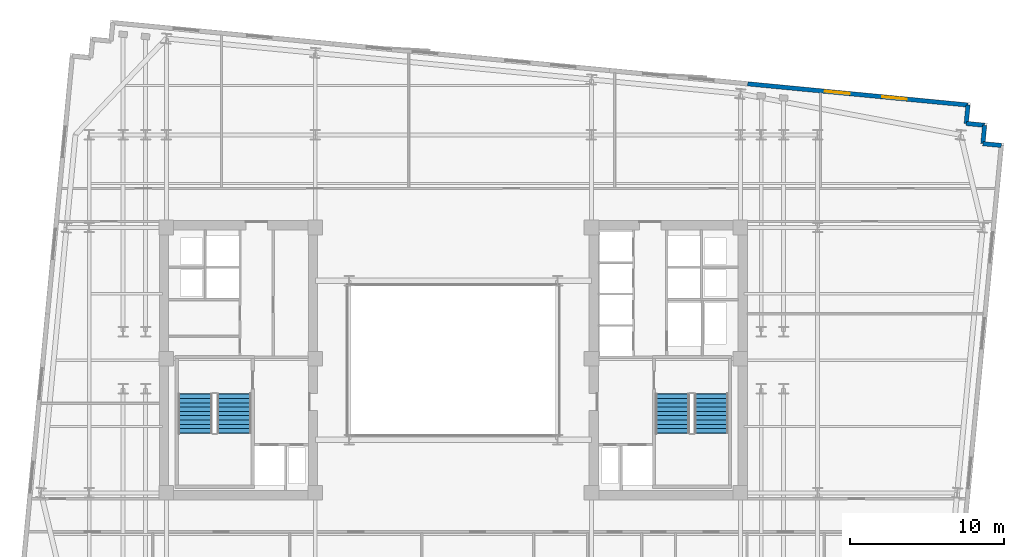
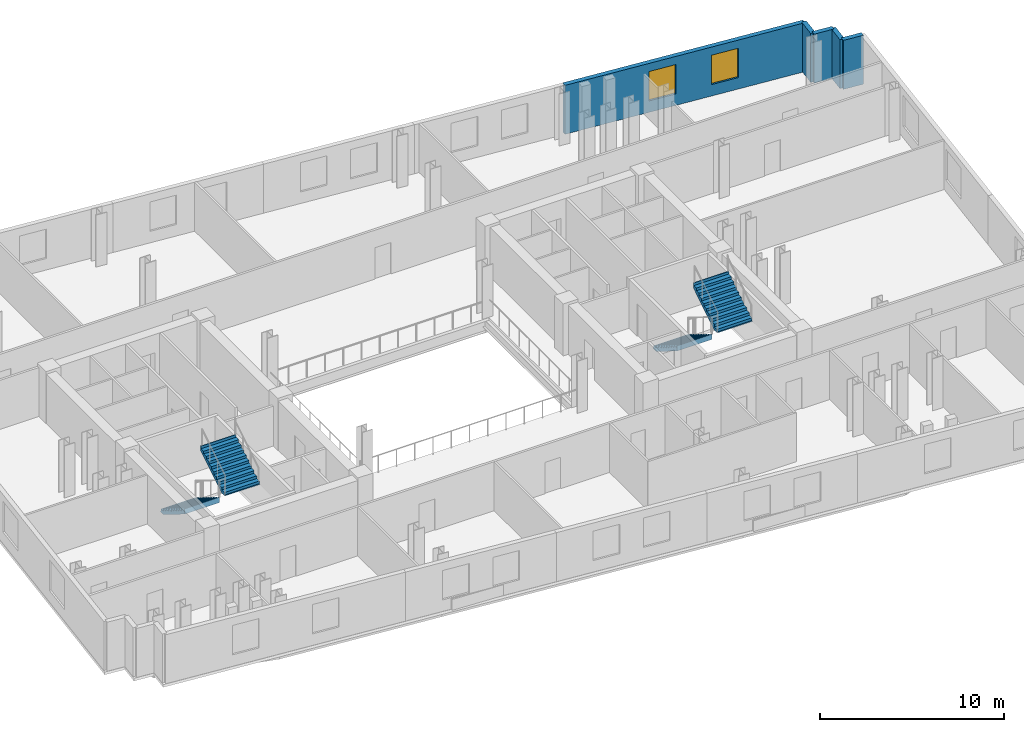
# One storey, part 7 of 9: 5 walls, 4 stair flights, 2 windows, 2 openings, 2 elements without a shape of their own.
"""IFC4 building model written with IfcOpenShell, lengths in metres."""

import ifcopenshell
import ifcopenshell.guid

model = None  # the IFC model being written
_history = None  # IfcOwnerHistory: only IFC2X3 demands one
_inside = {}  # id of a spatial element -> (the spatial element, [elements in it])
_under = {}  # id of a project, library or spatial element -> (it, [spatial elements below it])
_declared = {}  # id of a project -> (the project, [libraries it declares])
_typed = {}  # id of a type object -> (the type object, [elements of that type])
_made_of = {}  # id of a material, layer set ... -> (it, [elements and type objects made of it])


def new_model(schema):
    """Start an empty IFC model of exactly this schema.

    Asked for "IFC4X3", IfcOpenShell would pick the latest addendum, in which some entities
    have other attributes; the version numbers below select the first issue.
    IFC2X3 requires an IfcOwnerHistory on every rooted entity: one is made here for all.
    """
    global model, _history
    if schema == "IFC4X3":
        model = ifcopenshell.file(schema_version=(4, 3, 0, 0))
    else:
        model = ifcopenshell.file(schema=schema)
    _inside.clear()
    _under.clear()
    _declared.clear()
    _typed.clear()
    _made_of.clear()
    _history = None
    if model.schema == "IFC2X3":
        org = make("IfcOrganization", Name="unknown")
        user = make(
            "IfcPersonAndOrganization",
            ThePerson=make("IfcPerson", FamilyName="unknown"),
            TheOrganization=org,
        )
        app = make(
            "IfcApplication",
            ApplicationDeveloper=org,
            Version="unknown",
            ApplicationFullName="unknown",
            ApplicationIdentifier="unknown",
        )
        _history = make(
            "IfcOwnerHistory",
            OwningUser=user,
            OwningApplication=app,
            ChangeAction="ADDED",
            CreationDate=0,
        )
    return model


def make(cls, **values):
    """One entity of the class cls with the attributes given. An attribute that is None is left unset."""
    return model.create_entity(
        cls, **{name: value for name, value in values.items() if value is not None}
    )


def rooted(cls, **values):
    """An entity with a GlobalId (a new one), such as an element, a storey or a relation."""
    return make(cls, GlobalId=ifcopenshell.guid.new(), OwnerHistory=_history, **values)


def si_unit(unit_type, name, prefix=None):
    """IfcSIUnit, for example si_unit("LENGTHUNIT", "METRE", prefix="MILLI")."""
    return make("IfcSIUnit", UnitType=unit_type, Prefix=prefix, Name=name)


def assignment(units):
    """IfcUnitAssignment: the units of a project."""
    return None if units is None else make("IfcUnitAssignment", Units=units)


def point(xyz):
    """IfcCartesianPoint."""
    return None if xyz is None else make("IfcCartesianPoint", Coordinates=xyz)


def direction(xyz):
    """IfcDirection."""
    return None if xyz is None else make("IfcDirection", DirectionRatios=xyz)


def frame(location, z_axis=None, x_axis=None):
    """IfcAxis2Placement3D, a coordinate frame: its origin and axes. An axis left out is left unset."""
    return make(
        "IfcAxis2Placement3D",
        Location=point(location),
        Axis=direction(z_axis),
        RefDirection=direction(x_axis),
    )


def frame_2d(location, x_axis=None):
    """IfcAxis2Placement2D, a coordinate frame in the plane: its origin and x axis."""
    return make(
        "IfcAxis2Placement2D", Location=point(location), RefDirection=direction(x_axis)
    )


def origin():
    """The frame at (0, 0, 0) with its axes left unset."""
    return frame((0.0, 0.0, 0.0))


def place(relative_to, where):
    """IfcLocalPlacement: puts the frame where relative to a parent placement (None: the world)."""
    return make(
        "IfcLocalPlacement", PlacementRelTo=relative_to, RelativePlacement=where
    )


def context(
    kind, dimensions, precision=None, world=None, true_north=None, identifier=None
):
    """IfcGeometricRepresentationContext, for example the 3D "Model" context."""
    return make(
        "IfcGeometricRepresentationContext",
        ContextIdentifier=identifier,
        ContextType=kind,
        CoordinateSpaceDimension=dimensions,
        Precision=precision,
        WorldCoordinateSystem=world,
        TrueNorth=true_north,
    )


def subcontext(parent, identifier, kind, view, scale=None):
    """IfcGeometricRepresentationSubContext, for example "Body" below "Model"."""
    return make(
        "IfcGeometricRepresentationSubContext",
        ContextIdentifier=identifier,
        ContextType=kind,
        ParentContext=parent,
        TargetScale=scale,
        TargetView=view,
    )


def project(units=None, contexts=None):
    """IfcProject with its units and contexts."""
    return rooted(
        "IfcProject",
        Name="project",
        RepresentationContexts=contexts,
        UnitsInContext=assignment(units),
    )


def spatial(cls, under=None, at=None, **own):
    """A site, building, storey or space (cls), placed at a placement, below another one or the project."""
    s = rooted(cls, ObjectPlacement=at, **own)
    if under is not None:
        _under.setdefault(under.id(), (under, []))[1].append(s)
    return s


def polyline(points):
    """IfcPolyline through the points."""
    return make("IfcPolyline", Points=[point(p) for p in points])


def profile(cls, at=None, kind="AREA", **sizes):
    """A parametric profile (cls). Its sizes go by their IFC names, for example OverallWidth=200.0."""
    return make(cls, ProfileType=kind, Position=at, **sizes)


def rectangle(**sizes):
    """IfcRectangleProfileDef."""
    return profile("IfcRectangleProfileDef", **sizes)


def outline(outer, holes=None, kind="AREA"):
    """IfcArbitraryClosedProfileDef: a profile drawn as a closed curve; with holes, ...WithVoids."""
    if holes is None:
        return make("IfcArbitraryClosedProfileDef", ProfileType=kind, OuterCurve=outer)
    return make(
        "IfcArbitraryProfileDefWithVoids",
        ProfileType=kind,
        OuterCurve=outer,
        InnerCurves=holes,
    )


def extrude(swept, where, along, depth):
    """IfcExtrudedAreaSolid: the profile swept, set in the frame where, extruded along a direction by depth."""
    return make(
        "IfcExtrudedAreaSolid",
        SweptArea=swept,
        Position=where,
        ExtrudedDirection=direction(along),
        Depth=depth,
    )


def shape(context_of_items, identifier, shape_type, items):
    """IfcShapeRepresentation: the items that make up one representation, for example the "Body"."""
    return make(
        "IfcShapeRepresentation",
        ContextOfItems=context_of_items,
        RepresentationIdentifier=identifier,
        RepresentationType=shape_type,
        Items=items,
    )


def material(Name=None, Category=None):
    """IfcMaterial."""
    return make("IfcMaterial", Name=Name, Category=Category)


def layer(
    of_material, thickness, ventilated=None, Name=None, Category=None, Priority=None
):
    """IfcMaterialLayer: one layer of a wall or slab, of a material (None: an air gap)."""
    return make(
        "IfcMaterialLayer",
        Material=of_material,
        LayerThickness=thickness,
        IsVentilated=ventilated,
        Name=Name,
        Category=Category,
        Priority=Priority,
    )


def layer_set(layers, Name=None):
    """IfcMaterialLayerSet."""
    return make("IfcMaterialLayerSet", MaterialLayers=layers, LayerSetName=Name)


def made_of(thing, what):
    """Note that an element or type object is made of a material, layer set ...; save() writes the relation."""
    if what is not None:
        _made_of.setdefault(what.id(), (what, []))[1].append(thing)
    return thing


def type_object(cls, material=None, **own):
    """A type object (cls), such as IfcWallType, which elements share."""
    return made_of(rooted(cls, **own), material)


def element(
    cls,
    number,
    at=None,
    inside=None,
    cuts=None,
    type_object=None,
    material=None,
    context=None,
    identifier="Body",
    shape_type=None,
    held_by="IfcProductDefinitionShape",
    body=None,
    shapes=None,
    **own,
):
    """One element of the class cls, such as IfcWall. Its Tag is "e" and its number.

    at: its placement. inside: the storey or other place that contains it. cuts: it is an
    opening in that element (IfcRelVoidsElement). A single representation is given by context,
    identifier, shape_type and body (its items); several are given by shapes. held_by: the class
    of the entity that holds the representations. save() writes the other relations.
    """
    e = rooted(cls, Tag="e%d" % number, ObjectPlacement=at, **own)
    if body is not None:
        shapes = [shape(context, identifier, shape_type, body)]
    if shapes is not None:
        e.Representation = make(held_by, Representations=shapes)
    if inside is not None:
        _inside.setdefault(inside.id(), (inside, []))[1].append(e)
    if cuts is not None:
        rooted(
            "IfcRelVoidsElement", RelatingBuildingElement=cuts, RelatedOpeningElement=e
        )
    if type_object is not None:
        _typed.setdefault(type_object.id(), (type_object, []))[1].append(e)
    return made_of(e, material)


def fill(opening, filler):
    """IfcRelFillsElement: the door or window that sits in an opening."""
    return rooted(
        "IfcRelFillsElement",
        RelatingOpeningElement=opening,
        RelatedBuildingElement=filler,
    )


def aggregate(whole, parts):
    """IfcRelAggregates: a whole, such as a stair, and the parts it consists of."""
    return rooted("IfcRelAggregates", RelatingObject=whole, RelatedObjects=parts)


def save(model, path):
    """Write the relations noted so far, then the file.

    IfcRelAggregates (storeys below a building ...), IfcRelContainedInSpatialStructure (elements
    in a storey), IfcRelDefinesByType, IfcRelAssociatesMaterial and IfcRelDeclares: one each for
    every whole, place, type object, material and project.
    """
    for whole, parts in _under.values():
        aggregate(whole, parts)
    for where, things in _inside.values():
        rooted(
            "IfcRelContainedInSpatialStructure",
            RelatedElements=things,
            RelatingStructure=where,
        )
    for kind, things in _typed.values():
        rooted("IfcRelDefinesByType", RelatedObjects=things, RelatingType=kind)
    for what, things in _made_of.values():
        rooted("IfcRelAssociatesMaterial", RelatedObjects=things, RelatingMaterial=what)
    for by, libraries in _declared.values():
        rooted("IfcRelDeclares", RelatingContext=by, RelatedDefinitions=libraries)
    model.write(path)


model = new_model("IFC4")

# Units and contexts
model_context = context("Model", 3, precision=1e-05, world=origin(), true_north=direction((0.0, 1.0)))
body_context = subcontext(model_context, "Body", "Model", "MODEL_VIEW")
ifc_project = project(units=[si_unit("LENGTHUNIT", "METRE"), si_unit("AREAUNIT", "SQUARE_METRE"), si_unit("VOLUMEUNIT", "CUBIC_METRE"), si_unit("PLANEANGLEUNIT", "RADIAN"), si_unit("MASSUNIT", "GRAM", prefix="KILO")], contexts=[model_context])

# Site, building, storey
site_placement = place(None, origin())
site = spatial("IfcSite", under=ifc_project, at=site_placement, CompositionType="ELEMENT")
building_placement = place(site_placement, origin())
building = spatial("IfcBuilding", under=site, at=building_placement, Name="Velakula Bourse", CompositionType="ELEMENT")
storey_placement = place(building_placement, frame((0.0, 0.0, 170.75)))
storey = spatial("IfcBuildingStorey", under=building, at=storey_placement, Name="L46", CompositionType="ELEMENT", Elevation=170.75)

# Wall, openings, windows
ifc_material_1 = material(Name="Red kilned clay facing brick masonry", Category="masonry")
ifc_layer_1 = layer(ifc_material_1, 0.280029296875, Name="Red kilned clay facing brick masonry", Category="masonry")
ifc_layer_set_1 = layer_set([ifc_layer_1], Name="Red kilned clay facing brick masonry")
wall_type = type_object("IfcWallType", Name="WL-EXT-BRK-280", PredefinedType="STANDARD", material=ifc_layer_set_1)
wall_1_placement = place(storey_placement, frame((19.0771484375, 17.90771484375, 0.0), z_axis=(0.0, 0.0, 1.0), x_axis=(0.995395606285, -0.095851901334, 0.0)))
wall_1 = element("IfcWall", 1, at=wall_1_placement, inside=storey, type_object=wall_type, Name="L46 N Brick Spandrel Wall B5", PredefinedType="STANDARD", context=body_context, shape_type="SweptSolid", body=[
    extrude(rectangle(XDim=14.33984375, YDim=0.280029296875, at=frame_2d((7.169921875, 0.0))), origin(), (0.0, 0.0, 1.0), 3.25),
])
opening_1_placement = place(wall_1_placement, frame((5.030029296875, 0.0, 0.760009765625)))
opening_1 = element("IfcOpeningElement", 2, at=opening_1_placement, cuts=wall_1, Name="Opening W-02", PredefinedType="OPENING", context=body_context, shape_type="SweptSolid", body=[
    extrude(rectangle(XDim=1.60009765625, YDim=1.949951171875, at=frame_2d((0.800048828125, 0.97509765625))), frame((0.0, 0.14990234375, 0.0), z_axis=(0.0, -1.0, 0.0), x_axis=(1.0, 0.0, 0.0)), (0.0, 0.0, 1.0), 0.300048828125),
])
opening_2_placement = place(wall_1_placement, frame((8.760009765625, 0.0, 0.760009765625)))
opening_2 = element("IfcOpeningElement", 3, at=opening_2_placement, cuts=wall_1, Name="Opening W-02", PredefinedType="OPENING", context=body_context, shape_type="SweptSolid", body=[
    extrude(rectangle(XDim=1.60009765625, YDim=1.949951171875, at=frame_2d((0.800048828125, 0.97509765625))), frame((0.0, 0.14990234375, 0.0), z_axis=(0.0, -1.0, 0.0), x_axis=(1.0, 0.0, 0.0)), (0.0, 0.0, 1.0), 0.300048828125),
])
ifc_material_2 = material(Name="Double-glazed solar-control Low-E glass", Category="glass")
window_type = type_object("IfcWindowType", Name="WIN-TWR-1600x2100", PartitioningType="SINGLE_PANEL", PredefinedType="WINDOW", material=ifc_material_2)
window_1_placement = place(opening_1_placement, origin())
window_1 = element("IfcWindow", 4, at=window_1_placement, inside=storey, type_object=window_type, Name="L46 Deep-Set Recessed Window 1", OverallHeight=1.949951171875, OverallWidth=1.60009765625, PartitioningType="SINGLE_PANEL", PredefinedType="WINDOW", context=body_context, shape_type="SweptSolid", body=[
    extrude(rectangle(XDim=1.60009765625, YDim=1.949951171875, at=frame_2d((0.800048828125, 0.97509765625))), frame((0.0, 0.030029296875, 0.0), z_axis=(0.0, -1.0, 0.0), x_axis=(1.0, 0.0, 0.0)), (0.0, 0.0, 1.0), 0.06005859375),
])
fill(opening_1, window_1)
window_2_placement = place(opening_2_placement, origin())
window_2 = element("IfcWindow", 5, at=window_2_placement, inside=storey, type_object=window_type, Name="L46 Deep-Set Recessed Window 2", OverallHeight=1.949951171875, OverallWidth=1.60009765625, PartitioningType="SINGLE_PANEL", PredefinedType="WINDOW", context=body_context, shape_type="SweptSolid", body=[
    extrude(rectangle(XDim=1.60009765625, YDim=1.949951171875, at=frame_2d((0.800048828125, 0.97509765625))), frame((0.0, 0.030029296875, 0.0), z_axis=(0.0, -1.0, 0.0), x_axis=(1.0, 0.0, 0.0)), (0.0, 0.0, 1.0), 0.06005859375),
])
fill(opening_2, window_2)

# Walls
wall_2_placement = place(storey_placement, frame((35.510009765625, 13.914306640625, 0.0), z_axis=(0.0, 0.0, 1.0), x_axis=(-0.995397091755, 0.095836473879, 0.0)))
element("IfcWall", 6, at=wall_2_placement, inside=storey, type_object=wall_type, Name="L46 Serrated Corner Brick Wall NE-1", PredefinedType="STANDARD", context=body_context, shape_type="SweptSolid", body=[
    extrude(rectangle(XDim=1.199951171875, YDim=0.280029296875, at=frame_2d((0.60009765625, 0.0))), origin(), (0.0, 0.0, 1.0), 3.25),
])
for number, where, z_axis, x_axis, name in (
    (7, (34.315673828125, 14.029296875, 0.0), (0.0, 0.0, 1.0), (0.095817067274, 0.995398960025, 0.0), "L46 Serrated Corner Brick Wall NE-2"),
    (8, (34.4306640625, 15.223876953125, 0.0), (0.0, 0.0, 1.0), (-0.995398960025, 0.095817067274, 0.0), "L46 Serrated Corner Brick Wall NE-3"),
):
    element("IfcWall", number, at=place(storey_placement, frame(where, z_axis=z_axis, x_axis=x_axis)), inside=storey, type_object=wall_type, Name=name, PredefinedType="STANDARD", context=body_context, shape_type="SweptSolid", body=[
        extrude(rectangle(XDim=1.2001953125, YDim=0.280029296875, at=frame_2d((0.60009765625, 0.0))), origin(), (0.0, 0.0, 1.0), 3.25),
    ])
wall_3_placement = place(storey_placement, frame((33.236083984375, 15.3388671875, 0.0), z_axis=(0.0, 0.0, 1.0), x_axis=(0.095836473879, 0.995397091755, 0.0)))
element("IfcWall", 9, at=wall_3_placement, inside=storey, type_object=wall_type, Name="L46 Serrated Corner Brick Wall NE-4", PredefinedType="STANDARD", context=body_context, shape_type="SweptSolid", body=[
    extrude(rectangle(XDim=1.199951171875, YDim=0.280029296875, at=frame_2d((0.60009765625, 0.0))), origin(), (0.0, 0.0, 1.0), 3.25),
])

# Stair, stair flights
ifc_material_3 = material(Name="Concrete M45 (fck 45 MPa)", Category="concrete")
stair_type = type_object("IfcStairType", Name="STR-DOG-390", PredefinedType="HALF_TURN_STAIR", material=ifc_material_3)
stair_1_placement = place(storey_placement, origin())
stair_1 = element("IfcStair", 10, at=stair_1_placement, inside=storey, type_object=stair_type, Name="L46 West Core Exit Stair ST-W1", PredefinedType="HALF_TURN_STAIR")
ifc_layer_2 = layer(ifc_material_3, 0.195068359375, Name="Concrete M45 (fck 45 MPa)", Category="concrete")
ifc_layer_set_2 = layer_set([ifc_layer_2], Name="Concrete M45 (fck 45 MPa)")
stair_flight_type = type_object("IfcStairFlightType", Name="FLT-DOG-390", PredefinedType="STRAIGHT", material=ifc_layer_set_2)
stair_flight_1_placement = place(storey_placement, frame((-16.720947265625, -2.199951171875, 0.0), z_axis=(0.0, 0.0, 1.0), x_axis=(0.0, -1.0, 0.0)))
stair_flight_1 = element("IfcStairFlight", 11, at=stair_flight_1_placement, type_object=stair_flight_type, Name="ST-W1 flight 1", NumberOfRisers=10, NumberOfTreads=9, PredefinedType="STRAIGHT", RiserHeight=0.1725, TreadLength=0.28, context=body_context, shape_type="SweptSolid", body=[
    extrude(outline(polyline([(-0.044921875, -0.0400390625), (-0.044921875, -0.036865234375), (-0.044921875, -0.033935546875), (-0.044921875, -0.03076171875), (-0.044921875, -0.027587890625), (-0.044921875, -0.024658203125), (-0.044921875, -0.021484375), (-0.044921875, -0.0185546875), (-0.044921875, -0.015380859375), (-0.044921875, -0.01220703125), (-0.044921875, -0.00927734375), (-0.044921875, -0.006103515625), (-0.044921875, -0.003173828125), (-0.044921875, 0.0), (0.0, 0.0), (0.0, 0.172607421875), (0.280029296875, 0.172607421875), (0.280029296875, 0.344970703125), (0.56005859375, 0.344970703125), (0.56005859375, 0.517578125), (0.840087890625, 0.517578125), (0.840087890625, 0.68994140625), (1.1201171875, 0.68994140625), (1.1201171875, 0.862548828125), (1.39990234375, 0.862548828125), (1.39990234375, 1.034912109375), (1.679931640625, 1.034912109375), (1.679931640625, 1.20751953125), (1.9599609375, 1.20751953125), (1.9599609375, 1.3798828125), (2.239990234375, 1.3798828125), (2.239990234375, 1.552490234375), (2.52001953125, 1.552490234375), (2.52001953125, 1.72509765625), (2.56494140625, 1.72509765625), (2.56494140625, 1.7001953125), (2.56494140625, 1.67529296875), (2.56494140625, 1.650390625), (2.56494140625, 1.62548828125), (2.56494140625, 1.6005859375), (2.56494140625, 1.57568359375), (2.56494140625, 1.55078125), (2.56494140625, 1.52587890625), (2.56494140625, 1.5009765625), (2.56494140625, 1.47607421875), (2.56494140625, 1.451171875), (2.56494140625, 1.42626953125), (2.56494140625, 1.4013671875), (2.56494140625, 1.37646484375), (0.285888671875, -0.0400390625), (-0.044921875, -0.0400390625)])), frame((0.0, 1.09912109375, 0.0), z_axis=(0.0, -1.0, 0.0), x_axis=(1.0, 0.0, 0.0)), (0.0, 0.0, 1.0), 2.197998046875),
])
stair_flight_2_placement = place(storey_placement, frame((-14.198974609375, -4.719970703125, 1.72509765625), z_axis=(0.0, 0.0, 1.0), x_axis=(0.0, 1.0, 0.0)))
stair_flight_2 = element("IfcStairFlight", 12, at=stair_flight_2_placement, type_object=stair_flight_type, Name="ST-W1 flight 2", NumberOfRisers=10, NumberOfTreads=9, PredefinedType="STRAIGHT", RiserHeight=0.1725, TreadLength=0.28, context=body_context, shape_type="SweptSolid", body=[
    extrude(outline(polyline([(-0.044921875, -0.0400390625), (-0.044921875, -0.036865234375), (-0.044921875, -0.033935546875), (-0.044921875, -0.03076171875), (-0.044921875, -0.027587890625), (-0.044921875, -0.024658203125), (-0.044921875, -0.021484375), (-0.044921875, -0.0185546875), (-0.044921875, -0.015380859375), (-0.044921875, -0.01220703125), (-0.044921875, -0.00927734375), (-0.044921875, -0.006103515625), (-0.044921875, -0.003173828125), (-0.044921875, 0.0), (0.0, 0.0), (0.0, 0.172607421875), (0.280029296875, 0.172607421875), (0.280029296875, 0.344970703125), (0.56005859375, 0.344970703125), (0.56005859375, 0.517578125), (0.840087890625, 0.517578125), (0.840087890625, 0.68994140625), (1.1201171875, 0.68994140625), (1.1201171875, 0.862548828125), (1.39990234375, 0.862548828125), (1.39990234375, 1.034912109375), (1.679931640625, 1.034912109375), (1.679931640625, 1.20751953125), (1.9599609375, 1.20751953125), (1.9599609375, 1.3798828125), (2.239990234375, 1.3798828125), (2.239990234375, 1.552490234375), (2.52001953125, 1.552490234375), (2.52001953125, 1.72509765625), (2.56494140625, 1.72509765625), (2.56494140625, 1.7001953125), (2.56494140625, 1.67529296875), (2.56494140625, 1.650390625), (2.56494140625, 1.62548828125), (2.56494140625, 1.6005859375), (2.56494140625, 1.57568359375), (2.56494140625, 1.55078125), (2.56494140625, 1.52587890625), (2.56494140625, 1.5009765625), (2.56494140625, 1.47607421875), (2.56494140625, 1.451171875), (2.56494140625, 1.42626953125), (2.56494140625, 1.4013671875), (2.56494140625, 1.37646484375), (0.285888671875, -0.0400390625), (-0.044921875, -0.0400390625)])), frame((0.0, 1.09912109375, 0.0), z_axis=(0.0, -1.0, 0.0), x_axis=(1.0, 0.0, 0.0)), (0.0, 0.0, 1.0), 2.197998046875),
])
aggregate(stair_1, [stair_flight_1, stair_flight_2])

stair_2_placement = place(storey_placement, origin())
stair_2 = element("IfcStair", 13, at=stair_2_placement, inside=storey, type_object=stair_type, Name="L46 East Core Exit Stair ST-E1", PredefinedType="HALF_TURN_STAIR")
stair_flight_3_placement = place(storey_placement, frame((14.198974609375, -2.199951171875, 0.0), z_axis=(0.0, 0.0, 1.0), x_axis=(0.0, -1.0, 0.0)))
stair_flight_3 = element("IfcStairFlight", 14, at=stair_flight_3_placement, type_object=stair_flight_type, Name="ST-E1 flight 1", NumberOfRisers=10, NumberOfTreads=9, PredefinedType="STRAIGHT", RiserHeight=0.1725, TreadLength=0.28, context=body_context, shape_type="SweptSolid", body=[
    extrude(outline(polyline([(-0.044921875, -0.0400390625), (-0.044921875, -0.036865234375), (-0.044921875, -0.033935546875), (-0.044921875, -0.03076171875), (-0.044921875, -0.027587890625), (-0.044921875, -0.024658203125), (-0.044921875, -0.021484375), (-0.044921875, -0.0185546875), (-0.044921875, -0.015380859375), (-0.044921875, -0.01220703125), (-0.044921875, -0.00927734375), (-0.044921875, -0.006103515625), (-0.044921875, -0.003173828125), (-0.044921875, 0.0), (0.0, 0.0), (0.0, 0.172607421875), (0.280029296875, 0.172607421875), (0.280029296875, 0.344970703125), (0.56005859375, 0.344970703125), (0.56005859375, 0.517578125), (0.840087890625, 0.517578125), (0.840087890625, 0.68994140625), (1.1201171875, 0.68994140625), (1.1201171875, 0.862548828125), (1.39990234375, 0.862548828125), (1.39990234375, 1.034912109375), (1.679931640625, 1.034912109375), (1.679931640625, 1.20751953125), (1.9599609375, 1.20751953125), (1.9599609375, 1.3798828125), (2.239990234375, 1.3798828125), (2.239990234375, 1.552490234375), (2.52001953125, 1.552490234375), (2.52001953125, 1.72509765625), (2.56494140625, 1.72509765625), (2.56494140625, 1.7001953125), (2.56494140625, 1.67529296875), (2.56494140625, 1.650390625), (2.56494140625, 1.62548828125), (2.56494140625, 1.6005859375), (2.56494140625, 1.57568359375), (2.56494140625, 1.55078125), (2.56494140625, 1.52587890625), (2.56494140625, 1.5009765625), (2.56494140625, 1.47607421875), (2.56494140625, 1.451171875), (2.56494140625, 1.42626953125), (2.56494140625, 1.4013671875), (2.56494140625, 1.37646484375), (0.285888671875, -0.0400390625), (-0.044921875, -0.0400390625)])), frame((0.0, 1.09912109375, 0.0), z_axis=(0.0, -1.0, 0.0), x_axis=(1.0, 0.0, 0.0)), (0.0, 0.0, 1.0), 2.197998046875),
])
stair_flight_4_placement = place(storey_placement, frame((16.720947265625, -4.719970703125, 1.72509765625), z_axis=(0.0, 0.0, 1.0), x_axis=(0.0, 1.0, 0.0)))
stair_flight_4 = element("IfcStairFlight", 15, at=stair_flight_4_placement, type_object=stair_flight_type, Name="ST-E1 flight 2", NumberOfRisers=10, NumberOfTreads=9, PredefinedType="STRAIGHT", RiserHeight=0.1725, TreadLength=0.28, context=body_context, shape_type="SweptSolid", body=[
    extrude(outline(polyline([(-0.044921875, -0.0400390625), (-0.044921875, -0.036865234375), (-0.044921875, -0.033935546875), (-0.044921875, -0.03076171875), (-0.044921875, -0.027587890625), (-0.044921875, -0.024658203125), (-0.044921875, -0.021484375), (-0.044921875, -0.0185546875), (-0.044921875, -0.015380859375), (-0.044921875, -0.01220703125), (-0.044921875, -0.00927734375), (-0.044921875, -0.006103515625), (-0.044921875, -0.003173828125), (-0.044921875, 0.0), (0.0, 0.0), (0.0, 0.172607421875), (0.280029296875, 0.172607421875), (0.280029296875, 0.344970703125), (0.56005859375, 0.344970703125), (0.56005859375, 0.517578125), (0.840087890625, 0.517578125), (0.840087890625, 0.68994140625), (1.1201171875, 0.68994140625), (1.1201171875, 0.862548828125), (1.39990234375, 0.862548828125), (1.39990234375, 1.034912109375), (1.679931640625, 1.034912109375), (1.679931640625, 1.20751953125), (1.9599609375, 1.20751953125), (1.9599609375, 1.3798828125), (2.239990234375, 1.3798828125), (2.239990234375, 1.552490234375), (2.52001953125, 1.552490234375), (2.52001953125, 1.72509765625), (2.56494140625, 1.72509765625), (2.56494140625, 1.7001953125), (2.56494140625, 1.67529296875), (2.56494140625, 1.650390625), (2.56494140625, 1.62548828125), (2.56494140625, 1.6005859375), (2.56494140625, 1.57568359375), (2.56494140625, 1.55078125), (2.56494140625, 1.52587890625), (2.56494140625, 1.5009765625), (2.56494140625, 1.47607421875), (2.56494140625, 1.451171875), (2.56494140625, 1.42626953125), (2.56494140625, 1.4013671875), (2.56494140625, 1.37646484375), (0.285888671875, -0.0400390625), (-0.044921875, -0.0400390625)])), frame((0.0, 1.09912109375, 0.0), z_axis=(0.0, -1.0, 0.0), x_axis=(1.0, 0.0, 0.0)), (0.0, 0.0, 1.0), 2.197998046875),
])
aggregate(stair_2, [stair_flight_3, stair_flight_4])

save(model, "model.ifc")
